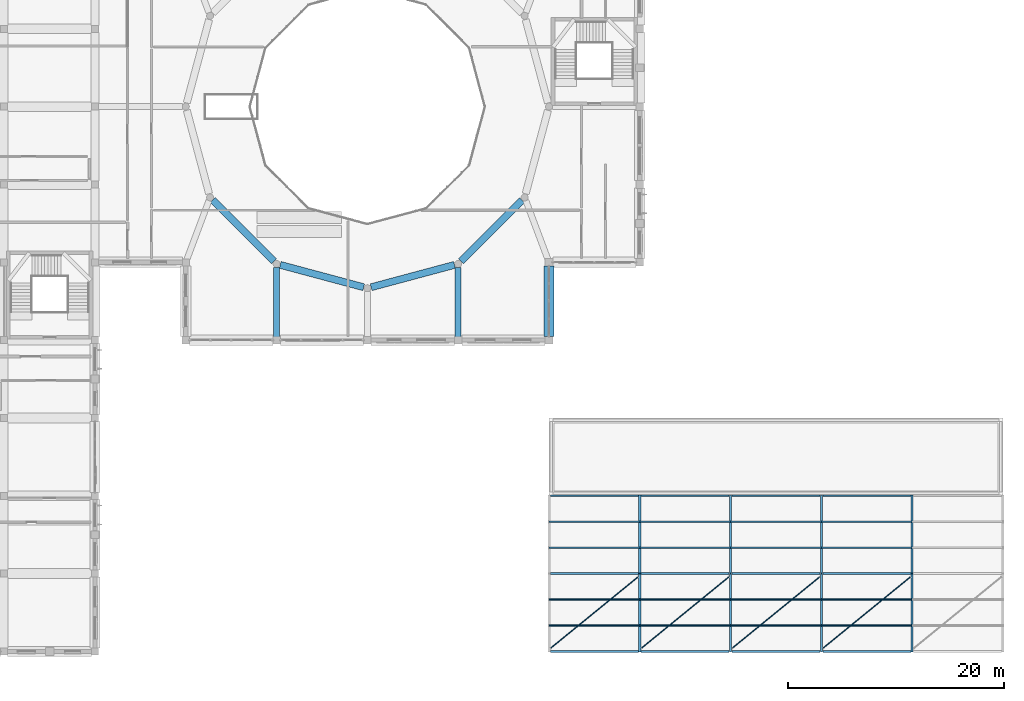
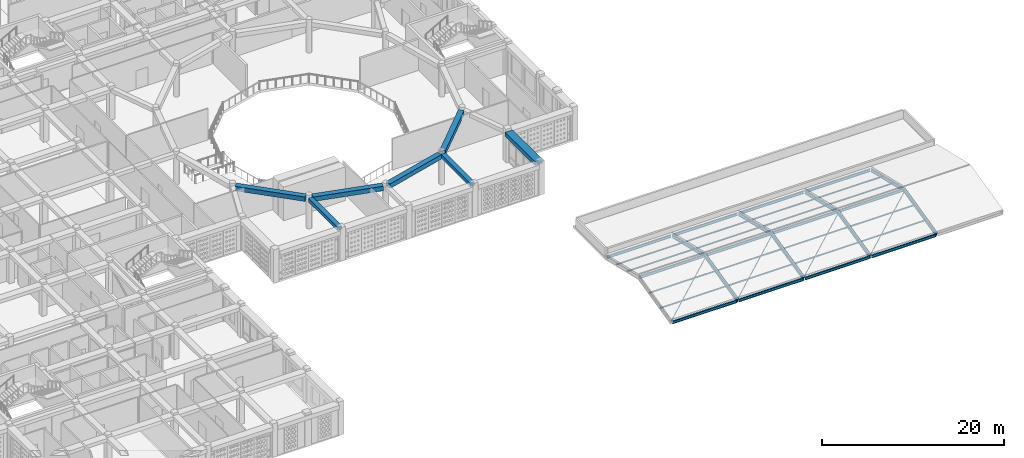
# One storey, part 17 of 79: 27 beams, 20 members.
"""IFC4 building model written with IfcOpenShell, lengths in metres."""

from ifc_helpers import new_model, si_unit, derived_unit, direction, frame, origin, origin_2d, place, context, subcontext, project, spatial, rectangle, hollow_rectangle, hollow_circle, i_section, extrude, material, material_profile, profile_set, type_object, element, save


model = new_model("IFC4")

# Units and contexts
model_context = context("Model", 3, precision=1e-05, world=origin(), true_north=direction((0.0, 1.0)))
body_context = subcontext(model_context, "Body", "Model", "MODEL_VIEW")
ifc_project = project(units=[si_unit("LENGTHUNIT", "METRE"), si_unit("AREAUNIT", "SQUARE_METRE"), si_unit("VOLUMEUNIT", "CUBIC_METRE"), si_unit("PLANEANGLEUNIT", "RADIAN"), si_unit("MASSUNIT", "GRAM", prefix="KILO"), derived_unit("THERMALTRANSMITTANCEUNIT", [(si_unit("POWERUNIT", "WATT"), 1), (si_unit("LENGTHUNIT", "METRE"), -2), (si_unit("THERMODYNAMICTEMPERATUREUNIT", "KELVIN"), -1)])], contexts=[model_context])

# Site, building, storey
site_placement = place(None, origin())
site = spatial("IfcSite", under=ifc_project, at=site_placement, CompositionType="ELEMENT")
building_placement = place(site_placement, origin())
building = spatial("IfcBuilding", under=site, at=building_placement, Name="Veybourne Emporium", CompositionType="ELEMENT")
storey_placement = place(building_placement, frame((0.0, 0.0, 18.89990234375)))
storey = spatial("IfcBuildingStorey", under=building, at=storey_placement, Name="L04", CompositionType="ELEMENT", Elevation=18.89990234375)

# Beams
ifc_material_1 = material(Name="Concrete C32/40", Category="concrete")
ifc_material_profile_1 = material_profile(ifc_material_1, rectangle(XDim=0.949951171875, YDim=0.550048828125, at=origin_2d()), Name="RC 950x550")
ifc_profile_set_1 = profile_set([ifc_material_profile_1], Name="Concrete C32/40")
beam_type_1 = type_object("IfcBeamType", Name="RCBeam_EB-01", PredefinedType="SPANDREL", material=ifc_profile_set_1)
beam_placement = place(storey_placement, frame((92.39990234375, 29.14990234375, 3.905029296875), z_axis=(0.0, 1.0, 0.0), x_axis=(-1.0, 0.0, 0.0)))
element("IfcBeam", 1, at=beam_placement, inside=storey, type_object=beam_type_1, Name="L04 Y-grid beam EB-01 (11,4)", PredefinedType="SPANDREL", context=body_context, shape_type="SweptSolid", body=[
    extrude(rectangle(XDim=0.949951171875, YDim=0.550048828125, at=origin_2d()), origin(), (0.0, 0.0, 1.0), 6.5),
])
ifc_material_profile_2 = material_profile(ifc_material_1, rectangle(XDim=0.64990234375, YDim=0.60009765625, at=origin_2d()), Name="RC 650x600")
ifc_profile_set_2 = profile_set([ifc_material_profile_2], Name="Concrete C32/40")
beam_type_2 = type_object("IfcBeamType", Name="RCBeam_EB-02", PredefinedType="BEAM", material=ifc_profile_set_2)
for number, where, z_axis, x_axis, name in (
    (2, (61.3017578125, 41.7490234375, 3.880126953125), (0.707106781187, -0.707106781187, 0.0), (0.707106781187, 0.707106781187, 0.0), "Atrium ring beam EB-02 L04-08"),
    (3, (67.54296875, 35.7587890625, 3.880126953125), (0.965928811666, -0.258807903268, 0.0), (0.258807903268, 0.965928811666, 0.0), "Atrium ring beam EB-02 L04-09"),
    (4, (75.94287109375, 33.69189453125, 3.880126953125), (0.965928811666, 0.258807903268, 0.0), (-0.258807903268, 0.965928811666, 0.0), "Atrium ring beam EB-02 L04-10"),
    (5, (84.2509765625, 36.101806640625, 3.880126953125), (0.707106781187, 0.707106781187, 0.0), (-0.707106781187, 0.707106781187, 0.0), "Atrium ring beam EB-02 L04-11"),
):
    element("IfcBeam", number, at=place(storey_placement, frame(where, z_axis=z_axis, x_axis=x_axis)), inside=storey, type_object=beam_type_2, Name=name, PredefinedType="BEAM", context=body_context, shape_type="SweptSolid", body=[
        extrude(rectangle(XDim=0.64990234375, YDim=0.60009765625, at=origin_2d()), origin(), (0.0, 0.0, 1.0), 7.986328125),
    ])
ifc_material_profile_3 = material_profile(ifc_material_1, rectangle(XDim=0.550048828125, YDim=0.5, at=origin_2d()), Name="RC 550x500")
ifc_profile_set_3 = profile_set([ifc_material_profile_3], Name="Concrete C32/40")
beam_type_3 = type_object("IfcBeamType", Name="RCBeam_TB-01", PredefinedType="BEAM", material=ifc_profile_set_3)
for number, where, z_axis, x_axis, name in (
    (6, (67.199951171875, 35.535888671875, 3.93017578125), (0.0, -1.0, 0.0), (1.0, 0.0, 0.0), "Atrium radial tie beam L04-09"),
    (7, (84.0, 35.535888671875, 3.93017578125), (0.0, -1.0, 0.0), (1.0, 0.0, 0.0), "Atrium radial tie beam L04-11"),
):
    element("IfcBeam", number, at=place(storey_placement, frame(where, z_axis=z_axis, x_axis=x_axis)), inside=storey, type_object=beam_type_3, Name=name, PredefinedType="BEAM", context=body_context, shape_type="SweptSolid", body=[
        extrude(rectangle(XDim=0.550048828125, YDim=0.5, at=origin_2d()), origin(), (0.0, 0.0, 1.0), 6.44580078125),
    ])
ifc_material_2 = material(Name="Steel S355", Category="steel")
ifc_material_profile_4 = material_profile(ifc_material_2, i_section(OverallWidth=0.1904296875, OverallDepth=0.45703125, WebThickness=0.009033203125, FlangeThickness=0.014404296875, FilletRadius=0.01025390625, at=origin_2d()), Name="UKB 457x191x74")
ifc_profile_set_4 = profile_set([ifc_material_profile_4], Name="Steel S355")
beam_type_4 = type_object("IfcBeamType", Name="SteelBeam_FR-01", PredefinedType="BEAM", material=ifc_profile_set_4)
for number, where, z_axis, x_axis, name in (
    (8, (100.800048828125, 0.0, 0.1201171875), (0.0, 0.973240729357, 0.229787908125), (-1.0, 0.0, 0.0), "Food hall south portal rafter 01"),
    (9, (100.800048828125, 7.199951171875, 1.820068359375), (0.0, 0.973240729357, -0.229787908125), (-1.0, 0.0, 0.0), "Food hall north portal rafter 01"),
    (10, (109.199951171875, 0.0, 0.1201171875), (0.0, 0.973240729357, 0.229787908125), (-1.0, 0.0, 0.0), "Food hall south portal rafter 02"),
    (11, (109.199951171875, 7.199951171875, 1.820068359375), (0.0, 0.973240729357, -0.229787908125), (-1.0, 0.0, 0.0), "Food hall north portal rafter 02"),
    (12, (117.60009765625, 0.0, 0.1201171875), (0.0, 0.973240729357, 0.229787908125), (-1.0, 0.0, 0.0), "Food hall south portal rafter 03"),
    (13, (117.60009765625, 7.199951171875, 1.820068359375), (0.0, 0.973240729357, -0.229787908125), (-1.0, 0.0, 0.0), "Food hall north portal rafter 03"),
    (14, (126.0, 0.0, 0.1201171875), (0.0, 0.973240729357, 0.229787908125), (-1.0, 0.0, 0.0), "Food hall south portal rafter 04"),
    (15, (126.0, 7.199951171875, 1.820068359375), (0.0, 0.973240729357, -0.229787908125), (-1.0, 0.0, 0.0), "Food hall north portal rafter 04"),
):
    element("IfcBeam", number, at=place(storey_placement, frame(where, z_axis=z_axis, x_axis=x_axis)), inside=storey, type_object=beam_type_4, Name=name, PredefinedType="BEAM", context=body_context, shape_type="SweptSolid", body=[
        extrude(i_section(OverallWidth=0.1904296875, OverallDepth=0.45703125, WebThickness=0.009033203125, FlangeThickness=0.014404296875, FilletRadius=0.01025390625, at=origin_2d()), origin(), (0.0, 0.0, 1.0), 7.39794921875),
    ])
ifc_material_profile_5 = material_profile(ifc_material_2, i_section(OverallWidth=0.17138671875, OverallDepth=0.35498046875, WebThickness=0.00732421875, FlangeThickness=0.011474609375, FilletRadius=0.01025390625, at=origin_2d()), Name="UKB 356x171x51")
ifc_profile_set_5 = profile_set([ifc_material_profile_5], Name="Steel S355")
beam_type_5 = type_object("IfcBeamType", Name="SteelBeam_FR-02", PredefinedType="BEAM", material=ifc_profile_set_5)
for number, where, z_axis, x_axis, name in (
    (16, (92.530029296875, 0.0, 0.1201171875), (1.0, 0.0, 0.0), (0.0, 1.0, 0.0), "Food hall longitudinal roof beam S.00"),
    (17, (92.530029296875, 7.199951171875, 1.820068359375), (1.0, 0.0, 0.0), (0.0, 1.0, 0.0), "Food hall longitudinal roof beam R.00"),
    (18, (92.530029296875, 14.39990234375, 0.1201171875), (1.0, 0.0, 0.0), (0.0, 1.0, 0.0), "Food hall longitudinal roof beam N.00"),
):
    element("IfcBeam", number, at=place(storey_placement, frame(where, z_axis=z_axis, x_axis=x_axis)), inside=storey, type_object=beam_type_5, Name=name, PredefinedType="BEAM", context=body_context, shape_type="SweptSolid", body=[
        extrude(i_section(OverallWidth=0.17138671875, OverallDepth=0.35498046875, WebThickness=0.00732421875, FlangeThickness=0.011474609375, FilletRadius=0.01025390625, at=origin_2d()), origin(), (0.0, 0.0, 1.0), 8.139892578125),
    ])
for number, where, z_axis, x_axis, name in (
    (19, (100.929931640625, 0.0, 0.1201171875), (1.0, 0.0, 0.0), (0.0, 1.0, 0.0), "Food hall longitudinal roof beam S.01"),
    (20, (100.929931640625, 7.199951171875, 1.820068359375), (1.0, 0.0, 0.0), (0.0, 1.0, 0.0), "Food hall longitudinal roof beam R.01"),
    (21, (100.929931640625, 14.39990234375, 0.1201171875), (1.0, 0.0, 0.0), (0.0, 1.0, 0.0), "Food hall longitudinal roof beam N.01"),
):
    element("IfcBeam", number, at=place(storey_placement, frame(where, z_axis=z_axis, x_axis=x_axis)), inside=storey, type_object=beam_type_5, Name=name, PredefinedType="BEAM", context=body_context, shape_type="SweptSolid", body=[
        extrude(i_section(OverallWidth=0.17138671875, OverallDepth=0.35498046875, WebThickness=0.00732421875, FlangeThickness=0.011474609375, FilletRadius=0.01025390625, at=origin_2d()), origin(), (0.0, 0.0, 1.0), 8.14013671875),
    ])
for number, where, z_axis, x_axis, name in (
    (22, (109.330078125, 0.0, 0.1201171875), (1.0, 0.0, 0.0), (0.0, 1.0, 0.0), "Food hall longitudinal roof beam S.02"),
    (23, (109.330078125, 7.199951171875, 1.820068359375), (1.0, 0.0, 0.0), (0.0, 1.0, 0.0), "Food hall longitudinal roof beam R.02"),
    (24, (109.330078125, 14.39990234375, 0.1201171875), (1.0, 0.0, 0.0), (0.0, 1.0, 0.0), "Food hall longitudinal roof beam N.02"),
):
    element("IfcBeam", number, at=place(storey_placement, frame(where, z_axis=z_axis, x_axis=x_axis)), inside=storey, type_object=beam_type_5, Name=name, PredefinedType="BEAM", context=body_context, shape_type="SweptSolid", body=[
        extrude(i_section(OverallWidth=0.17138671875, OverallDepth=0.35498046875, WebThickness=0.00732421875, FlangeThickness=0.011474609375, FilletRadius=0.01025390625, at=origin_2d()), origin(), (0.0, 0.0, 1.0), 8.139892578125),
    ])
for number, where, z_axis, x_axis, name in (
    (25, (117.72998046875, 0.0, 0.1201171875), (1.0, 0.0, 0.0), (0.0, 1.0, 0.0), "Food hall longitudinal roof beam S.03"),
    (26, (117.72998046875, 7.199951171875, 1.820068359375), (1.0, 0.0, 0.0), (0.0, 1.0, 0.0), "Food hall longitudinal roof beam R.03"),
    (27, (117.72998046875, 14.39990234375, 0.1201171875), (1.0, 0.0, 0.0), (0.0, 1.0, 0.0), "Food hall longitudinal roof beam N.03"),
):
    element("IfcBeam", number, at=place(storey_placement, frame(where, z_axis=z_axis, x_axis=x_axis)), inside=storey, type_object=beam_type_5, Name=name, PredefinedType="BEAM", context=body_context, shape_type="SweptSolid", body=[
        extrude(i_section(OverallWidth=0.17138671875, OverallDepth=0.35498046875, WebThickness=0.00732421875, FlangeThickness=0.011474609375, FilletRadius=0.01025390625, at=origin_2d()), origin(), (0.0, 0.0, 1.0), 8.14013671875),
    ])

# Members
ifc_material_profile_6 = material_profile(ifc_material_2, hollow_circle(Radius=0.05712890625, WallThickness=0.00634765625, at=origin_2d()), Name="CHS 114.3x6.3")
ifc_profile_set_6 = profile_set([ifc_material_profile_6], Name="Steel S355")
member_type_1 = type_object("IfcMemberType", Name="SteelMem_FB-01", PredefinedType="BRACE", material=ifc_profile_set_6)
member_1_placement = place(storey_placement, frame((92.550048828125, 0.300048828125, 0.10009765625), z_axis=(0.766081134874, 0.624211692409, 0.153230081413), x_axis=(-0.631671390814, 0.77523625691, 0.0)))
element("IfcMember", 28, at=member_1_placement, inside=storey, type_object=member_type_1, Name="Food hall roof wind brace 00", PredefinedType="BRACE", context=body_context, shape_type="SweptSolid", body=[
    extrude(hollow_circle(Radius=0.05712890625, WallThickness=0.00634765625, at=origin_2d()), origin(), (0.0, 0.0, 1.0), 10.572998046875),
])
member_2_placement = place(storey_placement, frame((100.949951171875, 0.300048828125, 0.10009765625), z_axis=(0.766090673856, 0.624200650623, 0.1532273709), x_axis=(-0.631659948418, 0.775245580165, 0.0)))
element("IfcMember", 29, at=member_2_placement, inside=storey, type_object=member_type_1, Name="Food hall roof wind brace 01", PredefinedType="BRACE", context=body_context, shape_type="SweptSolid", body=[
    extrude(hollow_circle(Radius=0.05712890625, WallThickness=0.00634765625, at=origin_2d()), origin(), (0.0, 0.0, 1.0), 10.5732421875),
])
member_3_placement = place(storey_placement, frame((109.35009765625, 0.300048828125, 0.10009765625), z_axis=(0.766081134874, 0.624211692409, 0.153230081413), x_axis=(-0.631671390814, 0.77523625691, 0.0)))
element("IfcMember", 30, at=member_3_placement, inside=storey, type_object=member_type_1, Name="Food hall roof wind brace 02", PredefinedType="BRACE", context=body_context, shape_type="SweptSolid", body=[
    extrude(hollow_circle(Radius=0.05712890625, WallThickness=0.00634765625, at=origin_2d()), origin(), (0.0, 0.0, 1.0), 10.572998046875),
])
member_4_placement = place(storey_placement, frame((117.75, 0.300048828125, 0.10009765625), z_axis=(0.766090673856, 0.624200650623, 0.1532273709), x_axis=(-0.631659948418, 0.775245580165, 0.0)))
element("IfcMember", 31, at=member_4_placement, inside=storey, type_object=member_type_1, Name="Food hall roof wind brace 03", PredefinedType="BRACE", context=body_context, shape_type="SweptSolid", body=[
    extrude(hollow_circle(Radius=0.05712890625, WallThickness=0.00634765625, at=origin_2d()), origin(), (0.0, 0.0, 1.0), 10.5732421875),
])
ifc_material_profile_7 = material_profile(ifc_material_2, hollow_rectangle(XDim=0.14990234375, YDim=0.14990234375, WallThickness=0.008056640625, InnerFilletRadius=0.011962890625, OuterFilletRadius=0.02001953125, at=origin_2d()), Name="SHS 150x150x8")
ifc_profile_set_7 = profile_set([ifc_material_profile_7], Name="Steel S355")
member_type_2 = type_object("IfcMemberType", Name="SteelMem_FP-01M", PredefinedType="PURLIN", material=ifc_profile_set_7)
for number, where, z_axis, x_axis, name in (
    (32, (92.39990234375, 2.39990234375, 0.650146484375), (1.0, 0.0, 0.0), (0.0, 1.0, 0.0), "Food hall purlin 0.1"),
    (33, (92.39990234375, 4.800048828125, 1.22021484375), (1.0, 0.0, 0.0), (0.0, 1.0, 0.0), "Food hall purlin 0.2"),
    (34, (92.39990234375, 9.60009765625, 1.22021484375), (1.0, 0.0, 0.0), (0.0, 1.0, 0.0), "Food hall purlin 0.3"),
    (35, (92.39990234375, 12.0, 0.650146484375), (1.0, 0.0, 0.0), (0.0, 1.0, 0.0), "Food hall purlin 0.4"),
):
    element("IfcMember", number, at=place(storey_placement, frame(where, z_axis=z_axis, x_axis=x_axis)), inside=storey, type_object=member_type_2, Name=name, PredefinedType="PURLIN", context=body_context, shape_type="SweptSolid", body=[
        extrude(hollow_rectangle(XDim=0.14990234375, YDim=0.14990234375, WallThickness=0.008056640625, InnerFilletRadius=0.011962890625, OuterFilletRadius=0.02001953125, at=origin_2d()), origin(), (0.0, 0.0, 1.0), 8.400146484375),
    ])
for number, where, z_axis, x_axis, name in (
    (36, (100.800048828125, 2.39990234375, 0.650146484375), (1.0, 0.0, 0.0), (0.0, 1.0, 0.0), "Food hall purlin 1.1"),
    (37, (100.800048828125, 4.800048828125, 1.22021484375), (1.0, 0.0, 0.0), (0.0, 1.0, 0.0), "Food hall purlin 1.2"),
    (38, (100.800048828125, 9.60009765625, 1.22021484375), (1.0, 0.0, 0.0), (0.0, 1.0, 0.0), "Food hall purlin 1.3"),
    (39, (100.800048828125, 12.0, 0.650146484375), (1.0, 0.0, 0.0), (0.0, 1.0, 0.0), "Food hall purlin 1.4"),
):
    element("IfcMember", number, at=place(storey_placement, frame(where, z_axis=z_axis, x_axis=x_axis)), inside=storey, type_object=member_type_2, Name=name, PredefinedType="PURLIN", context=body_context, shape_type="SweptSolid", body=[
        extrude(hollow_rectangle(XDim=0.14990234375, YDim=0.14990234375, WallThickness=0.008056640625, InnerFilletRadius=0.011962890625, OuterFilletRadius=0.02001953125, at=origin_2d()), origin(), (0.0, 0.0, 1.0), 8.39990234375),
    ])
for number, where, z_axis, x_axis, name in (
    (40, (109.199951171875, 2.39990234375, 0.650146484375), (1.0, 0.0, 0.0), (0.0, 1.0, 0.0), "Food hall purlin 2.1"),
    (41, (109.199951171875, 4.800048828125, 1.22021484375), (1.0, 0.0, 0.0), (0.0, 1.0, 0.0), "Food hall purlin 2.2"),
    (42, (109.199951171875, 9.60009765625, 1.22021484375), (1.0, 0.0, 0.0), (0.0, 1.0, 0.0), "Food hall purlin 2.3"),
    (43, (109.199951171875, 12.0, 0.650146484375), (1.0, 0.0, 0.0), (0.0, 1.0, 0.0), "Food hall purlin 2.4"),
):
    element("IfcMember", number, at=place(storey_placement, frame(where, z_axis=z_axis, x_axis=x_axis)), inside=storey, type_object=member_type_2, Name=name, PredefinedType="PURLIN", context=body_context, shape_type="SweptSolid", body=[
        extrude(hollow_rectangle(XDim=0.14990234375, YDim=0.14990234375, WallThickness=0.008056640625, InnerFilletRadius=0.011962890625, OuterFilletRadius=0.02001953125, at=origin_2d()), origin(), (0.0, 0.0, 1.0), 8.400146484375),
    ])
for number, where, z_axis, x_axis, name in (
    (44, (117.60009765625, 2.39990234375, 0.650146484375), (1.0, 0.0, 0.0), (0.0, 1.0, 0.0), "Food hall purlin 3.1"),
    (45, (117.60009765625, 4.800048828125, 1.22021484375), (1.0, 0.0, 0.0), (0.0, 1.0, 0.0), "Food hall purlin 3.2"),
    (46, (117.60009765625, 9.60009765625, 1.22021484375), (1.0, 0.0, 0.0), (0.0, 1.0, 0.0), "Food hall purlin 3.3"),
    (47, (117.60009765625, 12.0, 0.650146484375), (1.0, 0.0, 0.0), (0.0, 1.0, 0.0), "Food hall purlin 3.4"),
):
    element("IfcMember", number, at=place(storey_placement, frame(where, z_axis=z_axis, x_axis=x_axis)), inside=storey, type_object=member_type_2, Name=name, PredefinedType="PURLIN", context=body_context, shape_type="SweptSolid", body=[
        extrude(hollow_rectangle(XDim=0.14990234375, YDim=0.14990234375, WallThickness=0.008056640625, InnerFilletRadius=0.011962890625, OuterFilletRadius=0.02001953125, at=origin_2d()), origin(), (0.0, 0.0, 1.0), 8.39990234375),
    ])

save(model, "model.ifc")
